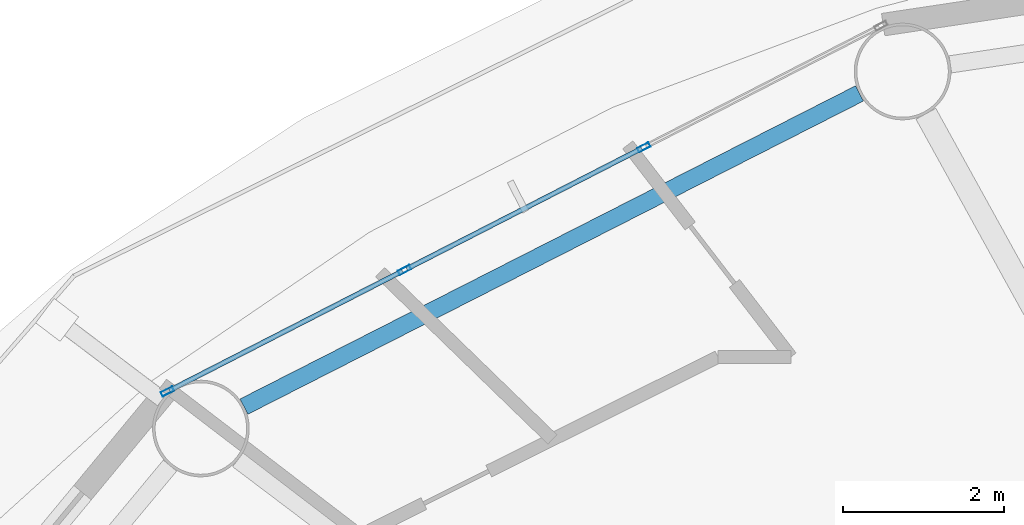
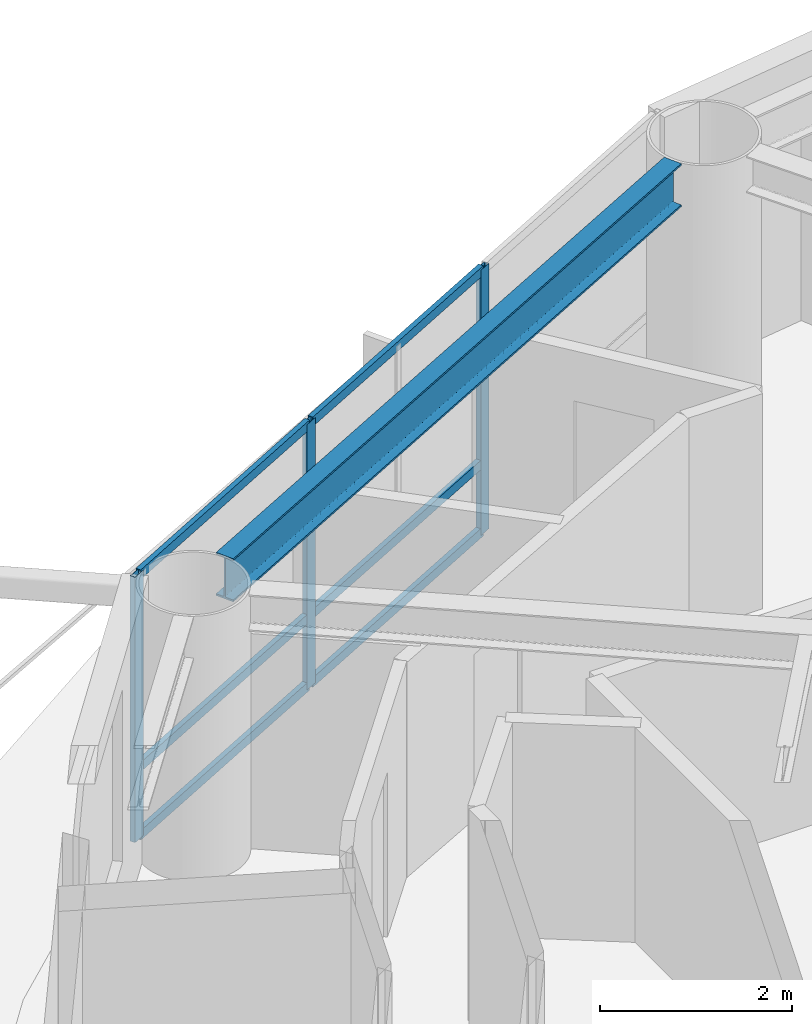
# One storey, part 11 of 27: 9 members, 1 beam, 1 element without a shape of its own.
"""IFC4 building model written with IfcOpenShell, lengths in metres."""

from ifc_helpers import new_model, si_unit, direction, frame, origin, origin_2d, place, context, subcontext, project, spatial, hollow_rectangle, i_section, extrude, material, layer, layer_set, material_profile, profile_set, type_object, element, aggregate, save


model = new_model("IFC4")

# Units and contexts
model_context = context("Model", 3, precision=1e-05, world=origin(), true_north=direction((0.0, 1.0)))
body_context = subcontext(model_context, "Body", "Model", "MODEL_VIEW")
ifc_project = project(units=[si_unit("LENGTHUNIT", "METRE"), si_unit("AREAUNIT", "SQUARE_METRE"), si_unit("VOLUMEUNIT", "CUBIC_METRE"), si_unit("PLANEANGLEUNIT", "RADIAN"), si_unit("MASSUNIT", "GRAM", prefix="KILO")], contexts=[model_context])

# Site, building, storey
site_placement = place(None, origin())
site = spatial("IfcSite", under=ifc_project, at=site_placement, CompositionType="ELEMENT")
building_placement = place(site_placement, origin())
building = spatial("IfcBuilding", under=site, at=building_placement, Name="Sarneth Arch Tower", CompositionType="ELEMENT")
storey_placement = place(building_placement, frame((0.0, 0.0, 193.800048828125)))
storey = spatial("IfcBuildingStorey", under=building, at=storey_placement, Name="L49", CompositionType="ELEMENT", Elevation=193.800048828125)

# Beam
ifc_material_1 = material(Name="Steel S355", Category="steel")
ifc_material_profile_1 = material_profile(ifc_material_1, i_section(OverallWidth=0.214111328125, OverallDepth=0.549072265625, WebThickness=0.0146484375, FlangeThickness=0.023681640625, FilletRadius=0.01806640625, at=origin_2d()), Name="W530x138")
ifc_profile_set_1 = profile_set([ifc_material_profile_1], Name="Steel S355")
beam_type = type_object("IfcBeamType", Name="BM-RAD-530A", PredefinedType="BEAM", material=ifc_profile_set_1)
beam_placement = place(storey_placement, frame((37.04345703125, 60.621337890625, 3.10546875), z_axis=(-0.891250372735, -0.453511601945, 0.0), x_axis=(0.453511601945, -0.891250372735, 0.0)))
element("IfcBeam", 1, at=beam_placement, inside=storey, type_object=beam_type, Name="L49 Perimeter spandrel beam 06", PredefinedType="BEAM", context=body_context, shape_type="SweptSolid", body=[
    extrude(i_section(OverallWidth=0.214111328125, OverallDepth=0.549072265625, WebThickness=0.0146484375, FlangeThickness=0.023681640625, FilletRadius=0.01806640625, at=origin_2d()), origin(), (0.0, 0.0, 1.0), 8.5751953125),
])

# Curtain wall, members
ifc_material_2 = material(Name="Anodised aluminium Type AA25 and solar-control low-e laminated IGU", Category="aluminium")
ifc_layer = layer(ifc_material_2, 0.169921875)
ifc_layer_set = layer_set([ifc_layer], Name="Anodised aluminium Type AA25 and solar-control low-e laminated IGU")
curtain_wall_type = type_object("IfcCurtainWallType", Name="CW-RES-MID", PredefinedType="NOTDEFINED", material=ifc_layer_set)
curtain_wall_placement = place(storey_placement, origin())
curtain_wall = element("IfcCurtainWall", 2, at=curtain_wall_placement, inside=storey, type_object=curtain_wall_type, Name="L49 Unitised curtain wall facet 06", PredefinedType="NOTDEFINED")
ifc_material_3 = material(Name="Anodised Aluminium 6063-T6", Category="aluminium")
ifc_material_profile_2 = material_profile(ifc_material_3, hollow_rectangle(XDim=0.06005859375, YDim=0.159912109375, WallThickness=0.00390625, at=origin_2d()), Name="AL-MULL-160x60x4")
ifc_profile_set_2 = profile_set([ifc_material_profile_2], Name="Anodised Aluminium 6063-T6")
member_type_1 = type_object("IfcMemberType", Name="CW-MULLION", PredefinedType="MULLION", material=ifc_profile_set_2)
member_1_placement = place(storey_placement, frame((34.365966796875, 59.9521484375, 0.0), z_axis=(0.0, 0.0, 1.0), x_axis=(0.456208470329, -0.88987293003, 0.0)))
member_1 = element("IfcMember", 3, at=member_1_placement, type_object=member_type_1, Name="CW-SYS-5 mullion 2", PredefinedType="MULLION", context=body_context, shape_type="SweptSolid", body=[
    extrude(hollow_rectangle(XDim=0.06005859375, YDim=0.159912109375, WallThickness=0.00390625, at=origin_2d()), origin(), (0.0, 0.0, 1.0), 3.3798828125),
])
member_2_placement = place(storey_placement, frame((31.39501953125, 58.428955078125, 0.0), z_axis=(0.0, 0.0, 1.0), x_axis=(0.456208470329, -0.88987293003, 0.0)))
member_2 = element("IfcMember", 4, at=member_2_placement, type_object=member_type_1, Name="CW-SYS-5 mullion 3", PredefinedType="MULLION", context=body_context, shape_type="SweptSolid", body=[
    extrude(hollow_rectangle(XDim=0.06005859375, YDim=0.159912109375, WallThickness=0.00390625, at=origin_2d()), origin(), (0.0, 0.0, 1.0), 3.3798828125),
])
member_3_placement = place(storey_placement, frame((28.450439453125, 56.91943359375, 0.0), z_axis=(0.0, 0.0, 1.0), x_axis=(0.456208470329, -0.88987293003, 0.0)))
member_3 = element("IfcMember", 5, at=member_3_placement, type_object=member_type_1, Name="CW-SYS-5 mullion 4", PredefinedType="MULLION", context=body_context, shape_type="SweptSolid", body=[
    extrude(hollow_rectangle(XDim=0.06005859375, YDim=0.159912109375, WallThickness=0.00390625, at=origin_2d()), origin(), (0.0, 0.0, 1.0), 3.3798828125),
])
ifc_material_4 = material(Name="Anodised Aluminium 6063-T6", Category="aluminium")
ifc_material_profile_3 = material_profile(ifc_material_4, hollow_rectangle(XDim=0.06005859375, YDim=0.1201171875, WallThickness=0.00390625, at=origin_2d()), Name="AL-TRAN-120x60x4")
ifc_profile_set_3 = profile_set([ifc_material_profile_3], Name="Anodised Aluminium 6063-T6")
member_type_2 = type_object("IfcMemberType", Name="CW-TRANSOM", PredefinedType="USERDEFINED", material=ifc_profile_set_3)
member_4_placement = place(storey_placement, frame((34.33935546875, 59.9384765625, 0.030029296875), z_axis=(-0.889869396751, -0.45621536222, 0.0), x_axis=(0.45621536222, -0.889869396751, 0.0)))
member_4 = element("IfcMember", 6, at=member_4_placement, type_object=member_type_2, Name="CW-SYS-5 transom 2.1", ObjectType="TRANSOM", PredefinedType="USERDEFINED", context=body_context, shape_type="SweptSolid", body=[
    extrude(hollow_rectangle(XDim=0.06005859375, YDim=0.1201171875, WallThickness=0.00390625, at=origin_2d()), origin(), (0.0, 0.0, 1.0), 3.27880859375),
])
member_5_placement = place(storey_placement, frame((34.33935546875, 59.9384765625, 0.89990234375), z_axis=(-0.889869396751, -0.45621536222, 0.0), x_axis=(0.45621536222, -0.889869396751, 0.0)))
member_5 = element("IfcMember", 7, at=member_5_placement, type_object=member_type_2, Name="CW-SYS-5 transom 2.2", ObjectType="TRANSOM", PredefinedType="USERDEFINED", context=body_context, shape_type="SweptSolid", body=[
    extrude(hollow_rectangle(XDim=0.06005859375, YDim=0.1201171875, WallThickness=0.00390625, at=origin_2d()), origin(), (0.0, 0.0, 1.0), 3.27880859375),
])
member_6_placement = place(storey_placement, frame((34.33935546875, 59.9384765625, 3.349853515625), z_axis=(-0.889869396751, -0.45621536222, 0.0), x_axis=(0.45621536222, -0.889869396751, 0.0)))
member_6 = element("IfcMember", 8, at=member_6_placement, type_object=member_type_2, Name="CW-SYS-5 transom 2.3", ObjectType="TRANSOM", PredefinedType="USERDEFINED", context=body_context, shape_type="SweptSolid", body=[
    extrude(hollow_rectangle(XDim=0.06005859375, YDim=0.1201171875, WallThickness=0.00390625, at=origin_2d()), origin(), (0.0, 0.0, 1.0), 3.27880859375),
])
member_7_placement = place(storey_placement, frame((31.3681640625, 58.415283203125, 0.030029296875), z_axis=(-0.889857362344, -0.456238835131, 0.0), x_axis=(0.456238835131, -0.889857362344, 0.0)))
member_7 = element("IfcMember", 9, at=member_7_placement, type_object=member_type_2, Name="CW-SYS-5 transom 3.1", ObjectType="TRANSOM", PredefinedType="USERDEFINED", context=body_context, shape_type="SweptSolid", body=[
    extrude(hollow_rectangle(XDim=0.06005859375, YDim=0.1201171875, WallThickness=0.00390625, at=origin_2d()), origin(), (0.0, 0.0, 1.0), 3.248779296875),
])
member_8_placement = place(storey_placement, frame((31.3681640625, 58.415283203125, 0.89990234375), z_axis=(-0.889857362344, -0.456238835131, 0.0), x_axis=(0.456238835131, -0.889857362344, 0.0)))
member_8 = element("IfcMember", 10, at=member_8_placement, type_object=member_type_2, Name="CW-SYS-5 transom 3.2", ObjectType="TRANSOM", PredefinedType="USERDEFINED", context=body_context, shape_type="SweptSolid", body=[
    extrude(hollow_rectangle(XDim=0.06005859375, YDim=0.1201171875, WallThickness=0.00390625, at=origin_2d()), origin(), (0.0, 0.0, 1.0), 3.248779296875),
])
member_9_placement = place(storey_placement, frame((31.3681640625, 58.415283203125, 3.349853515625), z_axis=(-0.889857362344, -0.456238835131, 0.0), x_axis=(0.456238835131, -0.889857362344, 0.0)))
member_9 = element("IfcMember", 11, at=member_9_placement, type_object=member_type_2, Name="CW-SYS-5 transom 3.3", ObjectType="TRANSOM", PredefinedType="USERDEFINED", context=body_context, shape_type="SweptSolid", body=[
    extrude(hollow_rectangle(XDim=0.06005859375, YDim=0.1201171875, WallThickness=0.00390625, at=origin_2d()), origin(), (0.0, 0.0, 1.0), 3.248779296875),
])
aggregate(curtain_wall, [member_1, member_2, member_3, member_4, member_5, member_6, member_7, member_8, member_9])

save(model, "model.ifc")
